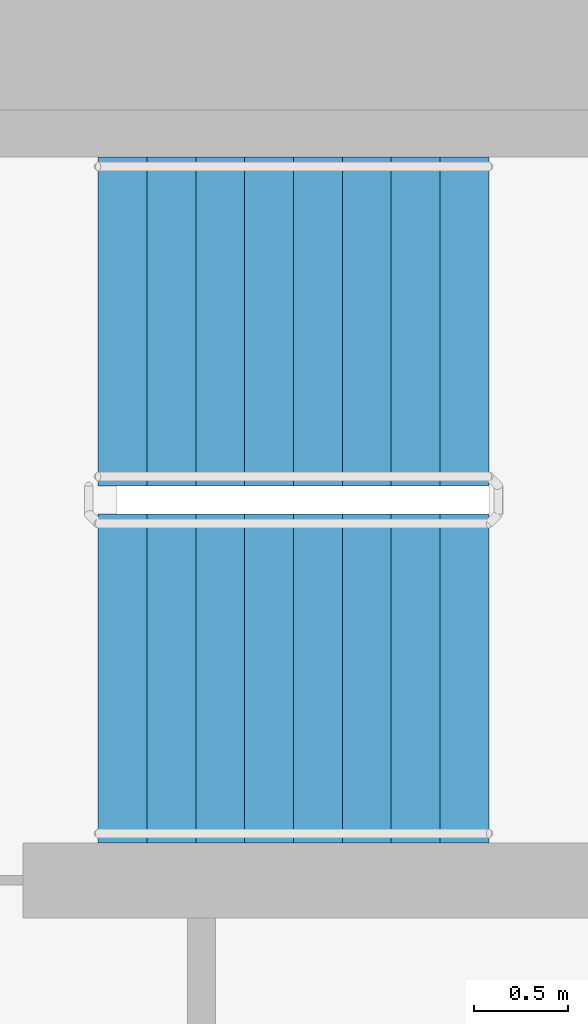
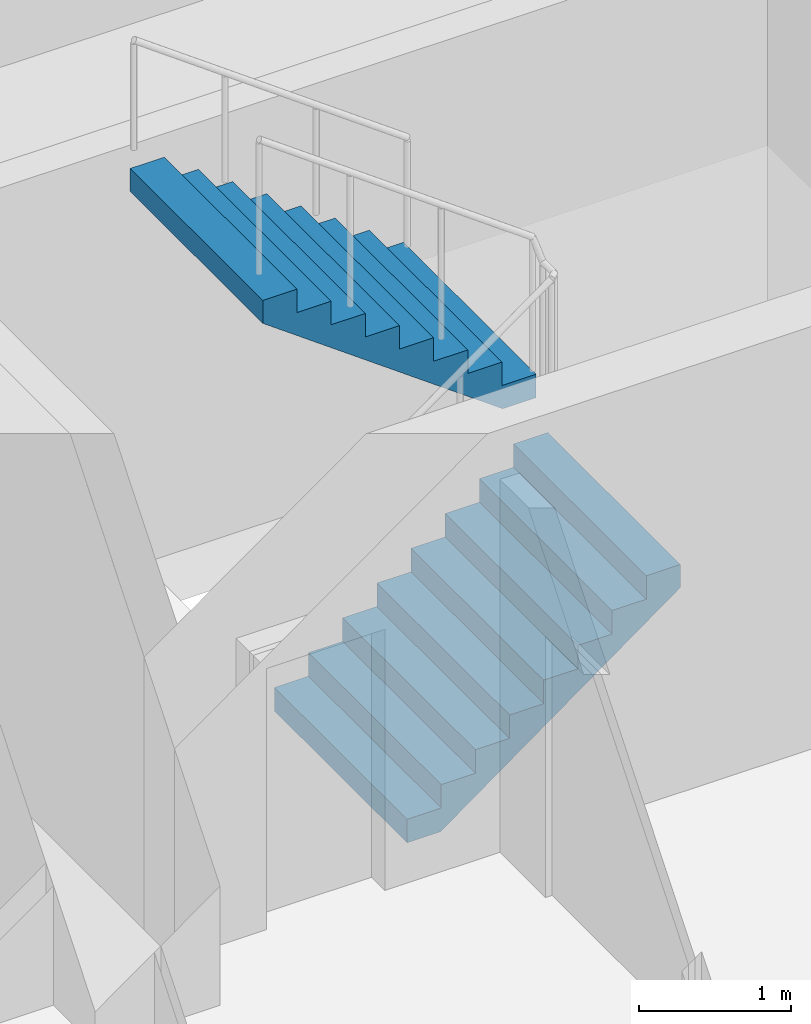
# One storey, part 15 of 20: 2 stair flights, 1 element without a shape of its own.
"""IFC4 building model written with IfcOpenShell, lengths in metres."""

import ifcopenshell
import ifcopenshell.guid

model = None  # the IFC model being written
_history = None  # IfcOwnerHistory: only IFC2X3 demands one
_inside = {}  # id of a spatial element -> (the spatial element, [elements in it])
_under = {}  # id of a project, library or spatial element -> (it, [spatial elements below it])
_declared = {}  # id of a project -> (the project, [libraries it declares])
_typed = {}  # id of a type object -> (the type object, [elements of that type])
_made_of = {}  # id of a material, layer set ... -> (it, [elements and type objects made of it])


def new_model(schema):
    """Start an empty IFC model of exactly this schema.

    Asked for "IFC4X3", IfcOpenShell would pick the latest addendum, in which some entities
    have other attributes; the version numbers below select the first issue.
    IFC2X3 requires an IfcOwnerHistory on every rooted entity: one is made here for all.
    """
    global model, _history
    if schema == "IFC4X3":
        model = ifcopenshell.file(schema_version=(4, 3, 0, 0))
    else:
        model = ifcopenshell.file(schema=schema)
    _inside.clear()
    _under.clear()
    _declared.clear()
    _typed.clear()
    _made_of.clear()
    _history = None
    if model.schema == "IFC2X3":
        org = make("IfcOrganization", Name="unknown")
        user = make(
            "IfcPersonAndOrganization",
            ThePerson=make("IfcPerson", FamilyName="unknown"),
            TheOrganization=org,
        )
        app = make(
            "IfcApplication",
            ApplicationDeveloper=org,
            Version="unknown",
            ApplicationFullName="unknown",
            ApplicationIdentifier="unknown",
        )
        _history = make(
            "IfcOwnerHistory",
            OwningUser=user,
            OwningApplication=app,
            ChangeAction="ADDED",
            CreationDate=0,
        )
    return model


def make(cls, **values):
    """One entity of the class cls with the attributes given. An attribute that is None is left unset."""
    return model.create_entity(
        cls, **{name: value for name, value in values.items() if value is not None}
    )


def rooted(cls, **values):
    """An entity with a GlobalId (a new one), such as an element, a storey or a relation."""
    return make(cls, GlobalId=ifcopenshell.guid.new(), OwnerHistory=_history, **values)


def si_unit(unit_type, name, prefix=None):
    """IfcSIUnit, for example si_unit("LENGTHUNIT", "METRE", prefix="MILLI")."""
    return make("IfcSIUnit", UnitType=unit_type, Prefix=prefix, Name=name)


def assignment(units):
    """IfcUnitAssignment: the units of a project."""
    return None if units is None else make("IfcUnitAssignment", Units=units)


def point(xyz):
    """IfcCartesianPoint."""
    return None if xyz is None else make("IfcCartesianPoint", Coordinates=xyz)


def direction(xyz):
    """IfcDirection."""
    return None if xyz is None else make("IfcDirection", DirectionRatios=xyz)


def frame(location, z_axis=None, x_axis=None):
    """IfcAxis2Placement3D, a coordinate frame: its origin and axes. An axis left out is left unset."""
    return make(
        "IfcAxis2Placement3D",
        Location=point(location),
        Axis=direction(z_axis),
        RefDirection=direction(x_axis),
    )


def origin():
    """The frame at (0, 0, 0) with its axes left unset."""
    return frame((0.0, 0.0, 0.0))


def place(relative_to, where):
    """IfcLocalPlacement: puts the frame where relative to a parent placement (None: the world)."""
    return make(
        "IfcLocalPlacement", PlacementRelTo=relative_to, RelativePlacement=where
    )


def context(
    kind, dimensions, precision=None, world=None, true_north=None, identifier=None
):
    """IfcGeometricRepresentationContext, for example the 3D "Model" context."""
    return make(
        "IfcGeometricRepresentationContext",
        ContextIdentifier=identifier,
        ContextType=kind,
        CoordinateSpaceDimension=dimensions,
        Precision=precision,
        WorldCoordinateSystem=world,
        TrueNorth=true_north,
    )


def subcontext(parent, identifier, kind, view, scale=None):
    """IfcGeometricRepresentationSubContext, for example "Body" below "Model"."""
    return make(
        "IfcGeometricRepresentationSubContext",
        ContextIdentifier=identifier,
        ContextType=kind,
        ParentContext=parent,
        TargetScale=scale,
        TargetView=view,
    )


def project(units=None, contexts=None):
    """IfcProject with its units and contexts."""
    return rooted(
        "IfcProject",
        Name="project",
        RepresentationContexts=contexts,
        UnitsInContext=assignment(units),
    )


def spatial(cls, under=None, at=None, **own):
    """A site, building, storey or space (cls), placed at a placement, below another one or the project."""
    s = rooted(cls, ObjectPlacement=at, **own)
    if under is not None:
        _under.setdefault(under.id(), (under, []))[1].append(s)
    return s


def faces_of(points, faces, orient=None, outer=None):
    """IfcFace entities. A face is a list of loops; a loop is a list of indices into points, from 0.

    orient and outer hold one flag for each loop. By default every Orientation is true, the
    first loop of a face is its IfcFaceOuterBound and the others are IfcFaceBound.
    """
    made = []
    for i, loops in enumerate(faces):
        bounds = []
        for j, loop in enumerate(loops):
            is_outer = j == 0 if outer is None else outer[i][j]
            bounds.append(
                make(
                    "IfcFaceOuterBound" if is_outer else "IfcFaceBound",
                    Bound=make("IfcPolyLoop", Polygon=[points[k] for k in loop]),
                    Orientation=True if orient is None else orient[i][j],
                )
            )
        made.append(make("IfcFace", Bounds=bounds))
    return made


def faceted_brep(points, faces, orient=None, outer=None, voids=None):
    """IfcFacetedBrep: a solid bounded by flat faces; with voids (closed shells), ...WithVoids."""
    shared = [point(p) for p in points]
    hull = make("IfcClosedShell", CfsFaces=faces_of(shared, faces, orient, outer))
    if voids is None:
        return make("IfcFacetedBrep", Outer=hull)
    return make(
        "IfcFacetedBrepWithVoids",
        Outer=hull,
        Voids=[
            make(cls, CfsFaces=faces_of(shared, fs, o, b)) for cls, fs, o, b in voids
        ],
    )


def shape(context_of_items, identifier, shape_type, items):
    """IfcShapeRepresentation: the items that make up one representation, for example the "Body"."""
    return make(
        "IfcShapeRepresentation",
        ContextOfItems=context_of_items,
        RepresentationIdentifier=identifier,
        RepresentationType=shape_type,
        Items=items,
    )


def material(Name=None, Category=None):
    """IfcMaterial."""
    return make("IfcMaterial", Name=Name, Category=Category)


def made_of(thing, what):
    """Note that an element or type object is made of a material, layer set ...; save() writes the relation."""
    if what is not None:
        _made_of.setdefault(what.id(), (what, []))[1].append(thing)
    return thing


def type_object(cls, material=None, **own):
    """A type object (cls), such as IfcWallType, which elements share."""
    return made_of(rooted(cls, **own), material)


def element(
    cls,
    number,
    at=None,
    inside=None,
    cuts=None,
    type_object=None,
    material=None,
    context=None,
    identifier="Body",
    shape_type=None,
    held_by="IfcProductDefinitionShape",
    body=None,
    shapes=None,
    **own,
):
    """One element of the class cls, such as IfcWall. Its Tag is "e" and its number.

    at: its placement. inside: the storey or other place that contains it. cuts: it is an
    opening in that element (IfcRelVoidsElement). A single representation is given by context,
    identifier, shape_type and body (its items); several are given by shapes. held_by: the class
    of the entity that holds the representations. save() writes the other relations.
    """
    e = rooted(cls, Tag="e%d" % number, ObjectPlacement=at, **own)
    if body is not None:
        shapes = [shape(context, identifier, shape_type, body)]
    if shapes is not None:
        e.Representation = make(held_by, Representations=shapes)
    if inside is not None:
        _inside.setdefault(inside.id(), (inside, []))[1].append(e)
    if cuts is not None:
        rooted(
            "IfcRelVoidsElement", RelatingBuildingElement=cuts, RelatedOpeningElement=e
        )
    if type_object is not None:
        _typed.setdefault(type_object.id(), (type_object, []))[1].append(e)
    return made_of(e, material)


def aggregate(whole, parts):
    """IfcRelAggregates: a whole, such as a stair, and the parts it consists of."""
    return rooted("IfcRelAggregates", RelatingObject=whole, RelatedObjects=parts)


def save(model, path):
    """Write the relations noted so far, then the file.

    IfcRelAggregates (storeys below a building ...), IfcRelContainedInSpatialStructure (elements
    in a storey), IfcRelDefinesByType, IfcRelAssociatesMaterial and IfcRelDeclares: one each for
    every whole, place, type object, material and project.
    """
    for whole, parts in _under.values():
        aggregate(whole, parts)
    for where, things in _inside.values():
        rooted(
            "IfcRelContainedInSpatialStructure",
            RelatedElements=things,
            RelatingStructure=where,
        )
    for kind, things in _typed.values():
        rooted("IfcRelDefinesByType", RelatedObjects=things, RelatingType=kind)
    for what, things in _made_of.values():
        rooted("IfcRelAssociatesMaterial", RelatedObjects=things, RelatingMaterial=what)
    for by, libraries in _declared.values():
        rooted("IfcRelDeclares", RelatingContext=by, RelatedDefinitions=libraries)
    model.write(path)


model = new_model("IFC4")

# Units and contexts
model_context = context("Model", 3, precision=1e-05, world=origin(), true_north=direction((0.0, 1.0)))
body_context = subcontext(model_context, "Body", "Model", "MODEL_VIEW")
ifc_project = project(units=[si_unit("LENGTHUNIT", "METRE"), si_unit("AREAUNIT", "SQUARE_METRE"), si_unit("VOLUMEUNIT", "CUBIC_METRE"), si_unit("PLANEANGLEUNIT", "RADIAN"), si_unit("MASSUNIT", "GRAM", prefix="KILO")], contexts=[model_context])

# Site, building, storey
site_placement = place(None, origin())
site = spatial("IfcSite", under=ifc_project, at=site_placement, CompositionType="ELEMENT")
building_placement = place(site_placement, origin())
building = spatial("IfcBuilding", under=site, at=building_placement, Name="Ipe Terrace Towers", CompositionType="ELEMENT")
storey_placement = place(building_placement, frame((0.0, 0.0, 100.39990234375)))
storey = spatial("IfcBuildingStorey", under=building, at=storey_placement, Name="L27", CompositionType="ELEMENT", Elevation=100.39990234375)

# Stair, stair flights
ifc_material_1 = material(Name="Concrete C30/37", Category="concrete")
stair_type = type_object("IfcStairType", Name="Protected exit stair", PredefinedType="HALF_TURN_STAIR", material=ifc_material_1)
stair_placement = place(storey_placement, origin())
stair = element("IfcStair", 1, at=stair_placement, inside=storey, type_object=stair_type, Name="L27 Exit stair T1-C1", PredefinedType="HALF_TURN_STAIR")
ifc_material_2 = material(Name="Concrete C30/37", Category="concrete")
stair_flight_type = type_object("IfcStairFlightType", Name="Exit stair flight 1750", PredefinedType="STRAIGHT", material=ifc_material_2)
stair_flight_1_placement = place(storey_placement, frame((-26.300048828125, 2.77490234375, 0.0), z_axis=(0.0, 0.0, 1.0), x_axis=(1.0, 0.0, 0.0)))
stair_flight_1 = element("IfcStairFlight", 2, at=stair_flight_1_placement, type_object=stair_flight_type, Name="T1-ST1 flight 1", NumberOfRisers=9, NumberOfTreads=8, PredefinedType="STRAIGHT", RiserHeight=0.188888889, TreadLength=0.26, context=body_context, shape_type="Brep", body=[
    faceted_brep([(0.255126953125, -0.875, 0.0), (2.080078125, -0.875, 1.325927734375), (2.080078125, -0.875, 1.51123046875), (1.820068359375, -0.875, 1.51123046875), (1.820068359375, -0.875, 1.322265625), (1.56005859375, -0.875, 1.322265625), (1.56005859375, -0.875, 1.13330078125), (1.300048828125, -0.875, 1.13330078125), (1.300048828125, -0.875, 0.9443359375), (1.0400390625, -0.875, 0.9443359375), (1.0400390625, -0.875, 0.755615234375), (0.780029296875, -0.875, 0.755615234375), (0.780029296875, -0.875, 0.566650390625), (0.52001953125, -0.875, 0.566650390625), (0.52001953125, -0.875, 0.377685546875), (0.260009765625, -0.875, 0.377685546875), (0.260009765625, -0.875, 0.18896484375), (0.0, -0.875, 0.18896484375), (0.0, -0.875, 0.0), (0.0, 0.875, 0.0), (0.0, 0.875, 0.18896484375), (0.260009765625, 0.875, 0.18896484375), (0.260009765625, 0.875, 0.377685546875), (0.52001953125, 0.875, 0.377685546875), (0.52001953125, 0.875, 0.566650390625), (0.780029296875, 0.875, 0.566650390625), (0.780029296875, 0.875, 0.755615234375), (1.0400390625, 0.875, 0.755615234375), (1.0400390625, 0.875, 0.9443359375), (1.300048828125, 0.875, 0.9443359375), (1.300048828125, 0.875, 1.13330078125), (1.56005859375, 0.875, 1.13330078125), (1.56005859375, 0.875, 1.322265625), (1.820068359375, 0.875, 1.322265625), (1.820068359375, 0.875, 1.51123046875), (2.080078125, 0.875, 1.51123046875), (2.080078125, 0.875, 1.325927734375), (0.255126953125, 0.875, 0.0), (0.0, -0.300048828125, 0.18896484375), (0.0, -0.1201171875, 0.18896484375), (0.0, -0.06005859375, 0.18896484375), (0.0, -0.030029296875, 0.18896484375), (0.0, -0.010009765625, 0.18896484375), (0.0, 0.0, 0.18896484375), (0.0, 0.010009765625, 0.18896484375), (0.0, 0.030029296875, 0.18896484375), (0.0, 0.06005859375, 0.18896484375), (0.0, 0.1201171875, 0.18896484375), (0.0, 0.300048828125, 0.18896484375), (0.0, 0.300048828125, 0.0), (0.0, 0.1201171875, 0.0), (0.0, 0.06005859375, 0.0), (0.0, 0.030029296875, 0.0), (0.0, 0.010009765625, 0.0), (0.0, 0.0, 0.0), (0.0, -0.010009765625, 0.0), (0.0, -0.030029296875, 0.0), (0.0, -0.06005859375, 0.0), (0.0, -0.1201171875, 0.0), (0.0, -0.300048828125, 0.0), (0.260009765625, -0.300048828125, 0.18896484375), (0.260009765625, -0.1201171875, 0.18896484375), (0.260009765625, -0.06005859375, 0.18896484375), (0.260009765625, -0.030029296875, 0.18896484375), (0.260009765625, -0.010009765625, 0.18896484375), (0.260009765625, 0.0, 0.18896484375), (0.260009765625, 0.010009765625, 0.18896484375), (0.260009765625, 0.030029296875, 0.18896484375), (0.260009765625, 0.06005859375, 0.18896484375), (0.260009765625, 0.1201171875, 0.18896484375), (0.260009765625, 0.300048828125, 0.18896484375), (0.260009765625, -0.300048828125, 0.377685546875), (0.260009765625, -0.1201171875, 0.377685546875), (0.260009765625, -0.06005859375, 0.377685546875), (0.260009765625, -0.030029296875, 0.377685546875), (0.260009765625, -0.010009765625, 0.377685546875), (0.260009765625, 0.0, 0.377685546875), (0.260009765625, 0.010009765625, 0.377685546875), (0.260009765625, 0.030029296875, 0.377685546875), (0.260009765625, 0.06005859375, 0.377685546875), (0.260009765625, 0.1201171875, 0.377685546875), (0.260009765625, 0.300048828125, 0.377685546875), (0.52001953125, -0.300048828125, 0.377685546875), (0.52001953125, -0.1201171875, 0.377685546875), (0.52001953125, -0.06005859375, 0.377685546875), (0.52001953125, -0.030029296875, 0.377685546875), (0.52001953125, -0.010009765625, 0.377685546875), (0.52001953125, 0.0, 0.377685546875), (0.52001953125, 0.010009765625, 0.377685546875), (0.52001953125, 0.030029296875, 0.377685546875), (0.52001953125, 0.06005859375, 0.377685546875), (0.52001953125, 0.1201171875, 0.377685546875), (0.52001953125, 0.300048828125, 0.377685546875), (0.52001953125, -0.300048828125, 0.566650390625), (0.52001953125, -0.1201171875, 0.566650390625), (0.52001953125, -0.06005859375, 0.566650390625), (0.52001953125, -0.030029296875, 0.566650390625), (0.52001953125, -0.010009765625, 0.566650390625), (0.52001953125, 0.0, 0.566650390625), (0.52001953125, 0.010009765625, 0.566650390625), (0.52001953125, 0.030029296875, 0.566650390625), (0.52001953125, 0.06005859375, 0.566650390625), (0.52001953125, 0.1201171875, 0.566650390625), (0.52001953125, 0.300048828125, 0.566650390625), (0.780029296875, -0.300048828125, 0.566650390625), (0.780029296875, -0.1201171875, 0.566650390625), (0.780029296875, -0.06005859375, 0.566650390625), (0.780029296875, -0.030029296875, 0.566650390625), (0.780029296875, -0.010009765625, 0.566650390625), (0.780029296875, 0.0, 0.566650390625), (0.780029296875, 0.010009765625, 0.566650390625), (0.780029296875, 0.030029296875, 0.566650390625), (0.780029296875, 0.06005859375, 0.566650390625), (0.780029296875, 0.1201171875, 0.566650390625), (0.780029296875, 0.300048828125, 0.566650390625), (0.780029296875, -0.300048828125, 0.755615234375), (0.780029296875, -0.1201171875, 0.755615234375), (0.780029296875, -0.06005859375, 0.755615234375), (0.780029296875, -0.030029296875, 0.755615234375), (0.780029296875, -0.010009765625, 0.755615234375), (0.780029296875, 0.0, 0.755615234375), (0.780029296875, 0.010009765625, 0.755615234375), (0.780029296875, 0.030029296875, 0.755615234375), (0.780029296875, 0.06005859375, 0.755615234375), (0.780029296875, 0.1201171875, 0.755615234375), (0.780029296875, 0.300048828125, 0.755615234375), (1.0400390625, -0.300048828125, 0.755615234375), (1.0400390625, -0.1201171875, 0.755615234375), (1.0400390625, -0.06005859375, 0.755615234375), (1.0400390625, -0.030029296875, 0.755615234375), (1.0400390625, -0.010009765625, 0.755615234375), (1.0400390625, 0.0, 0.755615234375), (1.0400390625, 0.010009765625, 0.755615234375), (1.0400390625, 0.030029296875, 0.755615234375), (1.0400390625, 0.06005859375, 0.755615234375), (1.0400390625, 0.1201171875, 0.755615234375), (1.0400390625, 0.300048828125, 0.755615234375), (1.0400390625, -0.300048828125, 0.9443359375), (1.0400390625, -0.1201171875, 0.9443359375), (1.0400390625, -0.06005859375, 0.9443359375), (1.0400390625, -0.030029296875, 0.9443359375), (1.0400390625, -0.010009765625, 0.9443359375), (1.0400390625, 0.0, 0.9443359375), (1.0400390625, 0.010009765625, 0.9443359375), (1.0400390625, 0.030029296875, 0.9443359375), (1.0400390625, 0.06005859375, 0.9443359375), (1.0400390625, 0.1201171875, 0.9443359375), (1.0400390625, 0.300048828125, 0.9443359375), (1.300048828125, -0.300048828125, 0.9443359375), (1.300048828125, -0.1201171875, 0.9443359375), (1.300048828125, -0.06005859375, 0.9443359375), (1.300048828125, -0.030029296875, 0.9443359375), (1.300048828125, -0.010009765625, 0.9443359375), (1.300048828125, 0.0, 0.9443359375), (1.300048828125, 0.010009765625, 0.9443359375), (1.300048828125, 0.030029296875, 0.9443359375), (1.300048828125, 0.06005859375, 0.9443359375), (1.300048828125, 0.1201171875, 0.9443359375), (1.300048828125, 0.300048828125, 0.9443359375), (1.300048828125, -0.300048828125, 1.13330078125), (1.300048828125, -0.1201171875, 1.13330078125), (1.300048828125, -0.06005859375, 1.13330078125), (1.300048828125, -0.030029296875, 1.13330078125), (1.300048828125, -0.010009765625, 1.13330078125), (1.300048828125, 0.0, 1.13330078125), (1.300048828125, 0.010009765625, 1.13330078125), (1.300048828125, 0.030029296875, 1.13330078125), (1.300048828125, 0.06005859375, 1.13330078125), (1.300048828125, 0.1201171875, 1.13330078125), (1.300048828125, 0.300048828125, 1.13330078125), (1.56005859375, -0.300048828125, 1.13330078125), (1.56005859375, -0.1201171875, 1.13330078125), (1.56005859375, -0.06005859375, 1.13330078125), (1.56005859375, -0.030029296875, 1.13330078125), (1.56005859375, -0.010009765625, 1.13330078125), (1.56005859375, 0.0, 1.13330078125), (1.56005859375, 0.010009765625, 1.13330078125), (1.56005859375, 0.030029296875, 1.13330078125), (1.56005859375, 0.06005859375, 1.13330078125), (1.56005859375, 0.1201171875, 1.13330078125), (1.56005859375, 0.300048828125, 1.13330078125), (1.56005859375, -0.300048828125, 1.322265625), (1.56005859375, -0.1201171875, 1.322265625), (1.56005859375, -0.06005859375, 1.322265625), (1.56005859375, -0.030029296875, 1.322265625), (1.56005859375, -0.010009765625, 1.322265625), (1.56005859375, 0.0, 1.322265625), (1.56005859375, 0.010009765625, 1.322265625), (1.56005859375, 0.030029296875, 1.322265625), (1.56005859375, 0.06005859375, 1.322265625), (1.56005859375, 0.1201171875, 1.322265625), (1.56005859375, 0.300048828125, 1.322265625), (1.820068359375, -0.300048828125, 1.322265625), (1.820068359375, -0.1201171875, 1.322265625), (1.820068359375, -0.06005859375, 1.322265625), (1.820068359375, -0.030029296875, 1.322265625), (1.820068359375, -0.010009765625, 1.322265625), (1.820068359375, 0.0, 1.322265625), (1.820068359375, 0.010009765625, 1.322265625), (1.820068359375, 0.030029296875, 1.322265625), (1.820068359375, 0.06005859375, 1.322265625), (1.820068359375, 0.1201171875, 1.322265625), (1.820068359375, 0.300048828125, 1.322265625), (1.820068359375, -0.300048828125, 1.51123046875), (1.820068359375, -0.1201171875, 1.51123046875), (1.820068359375, -0.06005859375, 1.51123046875), (1.820068359375, -0.030029296875, 1.51123046875), (1.820068359375, -0.010009765625, 1.51123046875), (1.820068359375, 0.0, 1.51123046875), (1.820068359375, 0.010009765625, 1.51123046875), (1.820068359375, 0.030029296875, 1.51123046875), (1.820068359375, 0.06005859375, 1.51123046875), (1.820068359375, 0.1201171875, 1.51123046875), (1.820068359375, 0.300048828125, 1.51123046875), (2.080078125, -0.300048828125, 1.51123046875), (2.080078125, -0.1201171875, 1.51123046875), (2.080078125, -0.06005859375, 1.51123046875), (2.080078125, -0.030029296875, 1.51123046875), (2.080078125, -0.010009765625, 1.51123046875), (2.080078125, 0.0, 1.51123046875), (2.080078125, 0.010009765625, 1.51123046875), (2.080078125, 0.030029296875, 1.51123046875), (2.080078125, 0.06005859375, 1.51123046875), (2.080078125, 0.1201171875, 1.51123046875), (2.080078125, 0.300048828125, 1.51123046875), (2.080078125, -0.300048828125, 1.325927734375), (2.080078125, -0.1201171875, 1.325927734375), (2.080078125, -0.06005859375, 1.325927734375), (2.080078125, -0.030029296875, 1.325927734375), (2.080078125, -0.010009765625, 1.325927734375), (2.080078125, 0.0, 1.325927734375), (2.080078125, 0.010009765625, 1.325927734375), (2.080078125, 0.030029296875, 1.325927734375), (2.080078125, 0.06005859375, 1.325927734375), (2.080078125, 0.1201171875, 1.325927734375), (2.080078125, 0.300048828125, 1.325927734375), (0.255126953125, -0.300048828125, 0.0), (0.255126953125, -0.1201171875, 0.0), (0.255126953125, -0.06005859375, 0.0), (0.255126953125, -0.030029296875, 0.0), (0.255126953125, -0.010009765625, 0.0), (0.255126953125, 0.0, 0.0), (0.255126953125, 0.010009765625, 0.0), (0.255126953125, 0.030029296875, 0.0), (0.255126953125, 0.06005859375, 0.0), (0.255126953125, 0.1201171875, 0.0), (0.255126953125, 0.300048828125, 0.0)], [[[0, 1, 2, 3, 4, 5, 6, 7, 8, 9, 10, 11, 12, 13, 14, 15, 16, 17, 18]], [[19, 20, 21, 22, 23, 24, 25, 26, 27, 28, 29, 30, 31, 32, 33, 34, 35, 36, 37]], [[17, 38, 39, 40, 41, 42, 43, 44, 45, 46, 47, 48, 20, 19, 49, 50, 51, 52, 53, 54, 55, 56, 57, 58, 59, 18]], [[16, 60, 61, 62, 63, 64, 65, 66, 67, 68, 69, 70, 21, 20, 48, 47, 46, 45, 44, 43, 42, 41, 40, 39, 38, 17]], [[15, 71, 72, 73, 74, 75, 76, 77, 78, 79, 80, 81, 22, 21, 70, 69, 68, 67, 66, 65, 64, 63, 62, 61, 60, 16]], [[14, 82, 83, 84, 85, 86, 87, 88, 89, 90, 91, 92, 23, 22, 81, 80, 79, 78, 77, 76, 75, 74, 73, 72, 71, 15]], [[13, 93, 94, 95, 96, 97, 98, 99, 100, 101, 102, 103, 24, 23, 92, 91, 90, 89, 88, 87, 86, 85, 84, 83, 82, 14]], [[12, 104, 105, 106, 107, 108, 109, 110, 111, 112, 113, 114, 25, 24, 103, 102, 101, 100, 99, 98, 97, 96, 95, 94, 93, 13]], [[11, 115, 116, 117, 118, 119, 120, 121, 122, 123, 124, 125, 26, 25, 114, 113, 112, 111, 110, 109, 108, 107, 106, 105, 104, 12]], [[10, 126, 127, 128, 129, 130, 131, 132, 133, 134, 135, 136, 27, 26, 125, 124, 123, 122, 121, 120, 119, 118, 117, 116, 115, 11]], [[9, 137, 138, 139, 140, 141, 142, 143, 144, 145, 146, 147, 28, 27, 136, 135, 134, 133, 132, 131, 130, 129, 128, 127, 126, 10]], [[8, 148, 149, 150, 151, 152, 153, 154, 155, 156, 157, 158, 29, 28, 147, 146, 145, 144, 143, 142, 141, 140, 139, 138, 137, 9]], [[7, 159, 160, 161, 162, 163, 164, 165, 166, 167, 168, 169, 30, 29, 158, 157, 156, 155, 154, 153, 152, 151, 150, 149, 148, 8]], [[6, 170, 171, 172, 173, 174, 175, 176, 177, 178, 179, 180, 31, 30, 169, 168, 167, 166, 165, 164, 163, 162, 161, 160, 159, 7]], [[5, 181, 182, 183, 184, 185, 186, 187, 188, 189, 190, 191, 32, 31, 180, 179, 178, 177, 176, 175, 174, 173, 172, 171, 170, 6]], [[4, 192, 193, 194, 195, 196, 197, 198, 199, 200, 201, 202, 33, 32, 191, 190, 189, 188, 187, 186, 185, 184, 183, 182, 181, 5]], [[3, 203, 204, 205, 206, 207, 208, 209, 210, 211, 212, 213, 34, 33, 202, 201, 200, 199, 198, 197, 196, 195, 194, 193, 192, 4]], [[2, 214, 215, 216, 217, 218, 219, 220, 221, 222, 223, 224, 35, 34, 213, 212, 211, 210, 209, 208, 207, 206, 205, 204, 203, 3]], [[1, 225, 226, 227, 228, 229, 230, 231, 232, 233, 234, 235, 36, 35, 224, 223, 222, 221, 220, 219, 218, 217, 216, 215, 214, 2]], [[0, 236, 237, 238, 239, 240, 241, 242, 243, 244, 245, 246, 37, 36, 235, 234, 233, 232, 231, 230, 229, 228, 227, 226, 225, 1]], [[18, 59, 58, 57, 56, 55, 54, 53, 52, 51, 50, 49, 19, 37, 246, 245, 244, 243, 242, 241, 240, 239, 238, 237, 236, 0]]]),
])
stair_flight_2_placement = place(storey_placement, frame((-24.219970703125, 4.675048828125, 1.7001953125), z_axis=(0.0, 0.0, 1.0), x_axis=(-1.0, 0.0, 0.0)))
stair_flight_2 = element("IfcStairFlight", 3, at=stair_flight_2_placement, type_object=stair_flight_type, Name="T1-ST1 flight 2", NumberOfRisers=9, NumberOfTreads=8, PredefinedType="STRAIGHT", RiserHeight=0.188888889, TreadLength=0.26, context=body_context, shape_type="Brep", body=[
    faceted_brep([(0.255126953125, -0.875, 0.0), (2.080078125, -0.875, 1.325927734375), (2.080078125, -0.875, 1.51123046875), (1.820068359375, -0.875, 1.51123046875), (1.820068359375, -0.875, 1.322265625), (1.56005859375, -0.875, 1.322265625), (1.56005859375, -0.875, 1.13330078125), (1.300048828125, -0.875, 1.13330078125), (1.300048828125, -0.875, 0.9443359375), (1.0400390625, -0.875, 0.9443359375), (1.0400390625, -0.875, 0.755615234375), (0.780029296875, -0.875, 0.755615234375), (0.780029296875, -0.875, 0.566650390625), (0.52001953125, -0.875, 0.566650390625), (0.52001953125, -0.875, 0.377685546875), (0.260009765625, -0.875, 0.377685546875), (0.260009765625, -0.875, 0.18896484375), (0.0, -0.875, 0.18896484375), (0.0, -0.875, 0.0), (0.0, 0.875, 0.0), (0.0, 0.875, 0.18896484375), (0.260009765625, 0.875, 0.18896484375), (0.260009765625, 0.875, 0.377685546875), (0.52001953125, 0.875, 0.377685546875), (0.52001953125, 0.875, 0.566650390625), (0.780029296875, 0.875, 0.566650390625), (0.780029296875, 0.875, 0.755615234375), (1.0400390625, 0.875, 0.755615234375), (1.0400390625, 0.875, 0.9443359375), (1.300048828125, 0.875, 0.9443359375), (1.300048828125, 0.875, 1.13330078125), (1.56005859375, 0.875, 1.13330078125), (1.56005859375, 0.875, 1.322265625), (1.820068359375, 0.875, 1.322265625), (1.820068359375, 0.875, 1.51123046875), (2.080078125, 0.875, 1.51123046875), (2.080078125, 0.875, 1.325927734375), (0.255126953125, 0.875, 0.0), (0.0, -0.300048828125, 0.18896484375), (0.0, -0.1201171875, 0.18896484375), (0.0, -0.06005859375, 0.18896484375), (0.0, -0.030029296875, 0.18896484375), (0.0, -0.010009765625, 0.18896484375), (0.0, 0.0, 0.18896484375), (0.0, 0.010009765625, 0.18896484375), (0.0, 0.030029296875, 0.18896484375), (0.0, 0.06005859375, 0.18896484375), (0.0, 0.1201171875, 0.18896484375), (0.0, 0.300048828125, 0.18896484375), (0.0, 0.300048828125, 0.0), (0.0, 0.1201171875, 0.0), (0.0, 0.06005859375, 0.0), (0.0, 0.030029296875, 0.0), (0.0, 0.010009765625, 0.0), (0.0, 0.0, 0.0), (0.0, -0.010009765625, 0.0), (0.0, -0.030029296875, 0.0), (0.0, -0.06005859375, 0.0), (0.0, -0.1201171875, 0.0), (0.0, -0.300048828125, 0.0), (0.260009765625, -0.300048828125, 0.18896484375), (0.260009765625, -0.1201171875, 0.18896484375), (0.260009765625, -0.06005859375, 0.18896484375), (0.260009765625, -0.030029296875, 0.18896484375), (0.260009765625, -0.010009765625, 0.18896484375), (0.260009765625, 0.0, 0.18896484375), (0.260009765625, 0.010009765625, 0.18896484375), (0.260009765625, 0.030029296875, 0.18896484375), (0.260009765625, 0.06005859375, 0.18896484375), (0.260009765625, 0.1201171875, 0.18896484375), (0.260009765625, 0.300048828125, 0.18896484375), (0.260009765625, -0.300048828125, 0.377685546875), (0.260009765625, -0.1201171875, 0.377685546875), (0.260009765625, -0.06005859375, 0.377685546875), (0.260009765625, -0.030029296875, 0.377685546875), (0.260009765625, -0.010009765625, 0.377685546875), (0.260009765625, 0.0, 0.377685546875), (0.260009765625, 0.010009765625, 0.377685546875), (0.260009765625, 0.030029296875, 0.377685546875), (0.260009765625, 0.06005859375, 0.377685546875), (0.260009765625, 0.1201171875, 0.377685546875), (0.260009765625, 0.300048828125, 0.377685546875), (0.52001953125, -0.300048828125, 0.377685546875), (0.52001953125, -0.1201171875, 0.377685546875), (0.52001953125, -0.06005859375, 0.377685546875), (0.52001953125, -0.030029296875, 0.377685546875), (0.52001953125, -0.010009765625, 0.377685546875), (0.52001953125, 0.0, 0.377685546875), (0.52001953125, 0.010009765625, 0.377685546875), (0.52001953125, 0.030029296875, 0.377685546875), (0.52001953125, 0.06005859375, 0.377685546875), (0.52001953125, 0.1201171875, 0.377685546875), (0.52001953125, 0.300048828125, 0.377685546875), (0.52001953125, -0.300048828125, 0.566650390625), (0.52001953125, -0.1201171875, 0.566650390625), (0.52001953125, -0.06005859375, 0.566650390625), (0.52001953125, -0.030029296875, 0.566650390625), (0.52001953125, -0.010009765625, 0.566650390625), (0.52001953125, 0.0, 0.566650390625), (0.52001953125, 0.010009765625, 0.566650390625), (0.52001953125, 0.030029296875, 0.566650390625), (0.52001953125, 0.06005859375, 0.566650390625), (0.52001953125, 0.1201171875, 0.566650390625), (0.52001953125, 0.300048828125, 0.566650390625), (0.780029296875, -0.300048828125, 0.566650390625), (0.780029296875, -0.1201171875, 0.566650390625), (0.780029296875, -0.06005859375, 0.566650390625), (0.780029296875, -0.030029296875, 0.566650390625), (0.780029296875, -0.010009765625, 0.566650390625), (0.780029296875, 0.0, 0.566650390625), (0.780029296875, 0.010009765625, 0.566650390625), (0.780029296875, 0.030029296875, 0.566650390625), (0.780029296875, 0.06005859375, 0.566650390625), (0.780029296875, 0.1201171875, 0.566650390625), (0.780029296875, 0.300048828125, 0.566650390625), (0.780029296875, -0.300048828125, 0.755615234375), (0.780029296875, -0.1201171875, 0.755615234375), (0.780029296875, -0.06005859375, 0.755615234375), (0.780029296875, -0.030029296875, 0.755615234375), (0.780029296875, -0.010009765625, 0.755615234375), (0.780029296875, 0.0, 0.755615234375), (0.780029296875, 0.010009765625, 0.755615234375), (0.780029296875, 0.030029296875, 0.755615234375), (0.780029296875, 0.06005859375, 0.755615234375), (0.780029296875, 0.1201171875, 0.755615234375), (0.780029296875, 0.300048828125, 0.755615234375), (1.0400390625, -0.300048828125, 0.755615234375), (1.0400390625, -0.1201171875, 0.755615234375), (1.0400390625, -0.06005859375, 0.755615234375), (1.0400390625, -0.030029296875, 0.755615234375), (1.0400390625, -0.010009765625, 0.755615234375), (1.0400390625, 0.0, 0.755615234375), (1.0400390625, 0.010009765625, 0.755615234375), (1.0400390625, 0.030029296875, 0.755615234375), (1.0400390625, 0.06005859375, 0.755615234375), (1.0400390625, 0.1201171875, 0.755615234375), (1.0400390625, 0.300048828125, 0.755615234375), (1.0400390625, -0.300048828125, 0.9443359375), (1.0400390625, -0.1201171875, 0.9443359375), (1.0400390625, -0.06005859375, 0.9443359375), (1.0400390625, -0.030029296875, 0.9443359375), (1.0400390625, -0.010009765625, 0.9443359375), (1.0400390625, 0.0, 0.9443359375), (1.0400390625, 0.010009765625, 0.9443359375), (1.0400390625, 0.030029296875, 0.9443359375), (1.0400390625, 0.06005859375, 0.9443359375), (1.0400390625, 0.1201171875, 0.9443359375), (1.0400390625, 0.300048828125, 0.9443359375), (1.300048828125, -0.300048828125, 0.9443359375), (1.300048828125, -0.1201171875, 0.9443359375), (1.300048828125, -0.06005859375, 0.9443359375), (1.300048828125, -0.030029296875, 0.9443359375), (1.300048828125, -0.010009765625, 0.9443359375), (1.300048828125, 0.0, 0.9443359375), (1.300048828125, 0.010009765625, 0.9443359375), (1.300048828125, 0.030029296875, 0.9443359375), (1.300048828125, 0.06005859375, 0.9443359375), (1.300048828125, 0.1201171875, 0.9443359375), (1.300048828125, 0.300048828125, 0.9443359375), (1.300048828125, -0.300048828125, 1.13330078125), (1.300048828125, -0.1201171875, 1.13330078125), (1.300048828125, -0.06005859375, 1.13330078125), (1.300048828125, -0.030029296875, 1.13330078125), (1.300048828125, -0.010009765625, 1.13330078125), (1.300048828125, 0.0, 1.13330078125), (1.300048828125, 0.010009765625, 1.13330078125), (1.300048828125, 0.030029296875, 1.13330078125), (1.300048828125, 0.06005859375, 1.13330078125), (1.300048828125, 0.1201171875, 1.13330078125), (1.300048828125, 0.300048828125, 1.13330078125), (1.56005859375, -0.300048828125, 1.13330078125), (1.56005859375, -0.1201171875, 1.13330078125), (1.56005859375, -0.06005859375, 1.13330078125), (1.56005859375, -0.030029296875, 1.13330078125), (1.56005859375, -0.010009765625, 1.13330078125), (1.56005859375, 0.0, 1.13330078125), (1.56005859375, 0.010009765625, 1.13330078125), (1.56005859375, 0.030029296875, 1.13330078125), (1.56005859375, 0.06005859375, 1.13330078125), (1.56005859375, 0.1201171875, 1.13330078125), (1.56005859375, 0.300048828125, 1.13330078125), (1.56005859375, -0.300048828125, 1.322265625), (1.56005859375, -0.1201171875, 1.322265625), (1.56005859375, -0.06005859375, 1.322265625), (1.56005859375, -0.030029296875, 1.322265625), (1.56005859375, -0.010009765625, 1.322265625), (1.56005859375, 0.0, 1.322265625), (1.56005859375, 0.010009765625, 1.322265625), (1.56005859375, 0.030029296875, 1.322265625), (1.56005859375, 0.06005859375, 1.322265625), (1.56005859375, 0.1201171875, 1.322265625), (1.56005859375, 0.300048828125, 1.322265625), (1.820068359375, -0.300048828125, 1.322265625), (1.820068359375, -0.1201171875, 1.322265625), (1.820068359375, -0.06005859375, 1.322265625), (1.820068359375, -0.030029296875, 1.322265625), (1.820068359375, -0.010009765625, 1.322265625), (1.820068359375, 0.0, 1.322265625), (1.820068359375, 0.010009765625, 1.322265625), (1.820068359375, 0.030029296875, 1.322265625), (1.820068359375, 0.06005859375, 1.322265625), (1.820068359375, 0.1201171875, 1.322265625), (1.820068359375, 0.300048828125, 1.322265625), (1.820068359375, -0.300048828125, 1.51123046875), (1.820068359375, -0.1201171875, 1.51123046875), (1.820068359375, -0.06005859375, 1.51123046875), (1.820068359375, -0.030029296875, 1.51123046875), (1.820068359375, -0.010009765625, 1.51123046875), (1.820068359375, 0.0, 1.51123046875), (1.820068359375, 0.010009765625, 1.51123046875), (1.820068359375, 0.030029296875, 1.51123046875), (1.820068359375, 0.06005859375, 1.51123046875), (1.820068359375, 0.1201171875, 1.51123046875), (1.820068359375, 0.300048828125, 1.51123046875), (2.080078125, -0.300048828125, 1.51123046875), (2.080078125, -0.1201171875, 1.51123046875), (2.080078125, -0.06005859375, 1.51123046875), (2.080078125, -0.030029296875, 1.51123046875), (2.080078125, -0.010009765625, 1.51123046875), (2.080078125, 0.0, 1.51123046875), (2.080078125, 0.010009765625, 1.51123046875), (2.080078125, 0.030029296875, 1.51123046875), (2.080078125, 0.06005859375, 1.51123046875), (2.080078125, 0.1201171875, 1.51123046875), (2.080078125, 0.300048828125, 1.51123046875), (2.080078125, -0.300048828125, 1.325927734375), (2.080078125, -0.1201171875, 1.325927734375), (2.080078125, -0.06005859375, 1.325927734375), (2.080078125, -0.030029296875, 1.325927734375), (2.080078125, -0.010009765625, 1.325927734375), (2.080078125, 0.0, 1.325927734375), (2.080078125, 0.010009765625, 1.325927734375), (2.080078125, 0.030029296875, 1.325927734375), (2.080078125, 0.06005859375, 1.325927734375), (2.080078125, 0.1201171875, 1.325927734375), (2.080078125, 0.300048828125, 1.325927734375), (0.255126953125, -0.300048828125, 0.0), (0.255126953125, -0.1201171875, 0.0), (0.255126953125, -0.06005859375, 0.0), (0.255126953125, -0.030029296875, 0.0), (0.255126953125, -0.010009765625, 0.0), (0.255126953125, 0.0, 0.0), (0.255126953125, 0.010009765625, 0.0), (0.255126953125, 0.030029296875, 0.0), (0.255126953125, 0.06005859375, 0.0), (0.255126953125, 0.1201171875, 0.0), (0.255126953125, 0.300048828125, 0.0)], [[[0, 1, 2, 3, 4, 5, 6, 7, 8, 9, 10, 11, 12, 13, 14, 15, 16, 17, 18]], [[19, 20, 21, 22, 23, 24, 25, 26, 27, 28, 29, 30, 31, 32, 33, 34, 35, 36, 37]], [[17, 38, 39, 40, 41, 42, 43, 44, 45, 46, 47, 48, 20, 19, 49, 50, 51, 52, 53, 54, 55, 56, 57, 58, 59, 18]], [[16, 60, 61, 62, 63, 64, 65, 66, 67, 68, 69, 70, 21, 20, 48, 47, 46, 45, 44, 43, 42, 41, 40, 39, 38, 17]], [[15, 71, 72, 73, 74, 75, 76, 77, 78, 79, 80, 81, 22, 21, 70, 69, 68, 67, 66, 65, 64, 63, 62, 61, 60, 16]], [[14, 82, 83, 84, 85, 86, 87, 88, 89, 90, 91, 92, 23, 22, 81, 80, 79, 78, 77, 76, 75, 74, 73, 72, 71, 15]], [[13, 93, 94, 95, 96, 97, 98, 99, 100, 101, 102, 103, 24, 23, 92, 91, 90, 89, 88, 87, 86, 85, 84, 83, 82, 14]], [[12, 104, 105, 106, 107, 108, 109, 110, 111, 112, 113, 114, 25, 24, 103, 102, 101, 100, 99, 98, 97, 96, 95, 94, 93, 13]], [[11, 115, 116, 117, 118, 119, 120, 121, 122, 123, 124, 125, 26, 25, 114, 113, 112, 111, 110, 109, 108, 107, 106, 105, 104, 12]], [[10, 126, 127, 128, 129, 130, 131, 132, 133, 134, 135, 136, 27, 26, 125, 124, 123, 122, 121, 120, 119, 118, 117, 116, 115, 11]], [[9, 137, 138, 139, 140, 141, 142, 143, 144, 145, 146, 147, 28, 27, 136, 135, 134, 133, 132, 131, 130, 129, 128, 127, 126, 10]], [[8, 148, 149, 150, 151, 152, 153, 154, 155, 156, 157, 158, 29, 28, 147, 146, 145, 144, 143, 142, 141, 140, 139, 138, 137, 9]], [[7, 159, 160, 161, 162, 163, 164, 165, 166, 167, 168, 169, 30, 29, 158, 157, 156, 155, 154, 153, 152, 151, 150, 149, 148, 8]], [[6, 170, 171, 172, 173, 174, 175, 176, 177, 178, 179, 180, 31, 30, 169, 168, 167, 166, 165, 164, 163, 162, 161, 160, 159, 7]], [[5, 181, 182, 183, 184, 185, 186, 187, 188, 189, 190, 191, 32, 31, 180, 179, 178, 177, 176, 175, 174, 173, 172, 171, 170, 6]], [[4, 192, 193, 194, 195, 196, 197, 198, 199, 200, 201, 202, 33, 32, 191, 190, 189, 188, 187, 186, 185, 184, 183, 182, 181, 5]], [[3, 203, 204, 205, 206, 207, 208, 209, 210, 211, 212, 213, 34, 33, 202, 201, 200, 199, 198, 197, 196, 195, 194, 193, 192, 4]], [[2, 214, 215, 216, 217, 218, 219, 220, 221, 222, 223, 224, 35, 34, 213, 212, 211, 210, 209, 208, 207, 206, 205, 204, 203, 3]], [[1, 225, 226, 227, 228, 229, 230, 231, 232, 233, 234, 235, 36, 35, 224, 223, 222, 221, 220, 219, 218, 217, 216, 215, 214, 2]], [[0, 236, 237, 238, 239, 240, 241, 242, 243, 244, 245, 246, 37, 36, 235, 234, 233, 232, 231, 230, 229, 228, 227, 226, 225, 1]], [[18, 59, 58, 57, 56, 55, 54, 53, 52, 51, 50, 49, 19, 37, 246, 245, 244, 243, 242, 241, 240, 239, 238, 237, 236, 0]]]),
])
aggregate(stair, [stair_flight_1, stair_flight_2])

save(model, "model.ifc")
